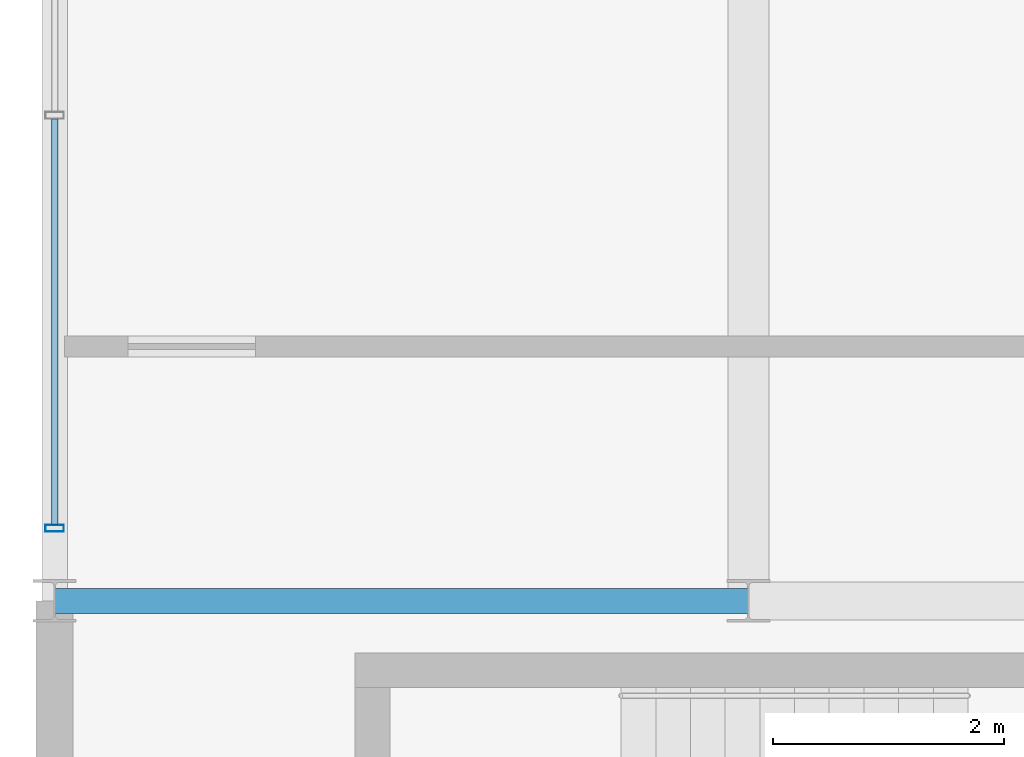
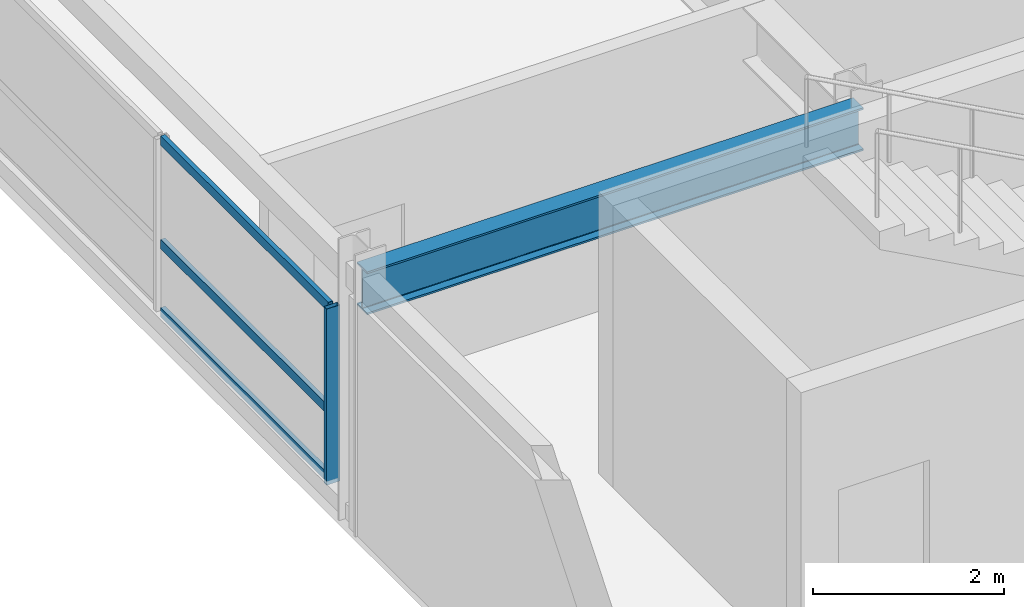
# One storey, part 6 of 22: 4 members, 1 beam, 1 element without a shape of its own.
"""IFC4 building model written with IfcOpenShell, lengths in metres."""

from ifc_helpers import new_model, si_unit, direction, frame, origin, origin_2d, place, context, subcontext, project, spatial, hollow_rectangle, i_section, extrude, material, material_profile, profile_set, type_object, element, aggregate, save


model = new_model("IFC4")

# Units and contexts
model_context = context("Model", 3, precision=1e-05, world=origin(), true_north=direction((0.0, 1.0)))
body_context = subcontext(model_context, "Body", "Model", "MODEL_VIEW")
ifc_project = project(units=[si_unit("LENGTHUNIT", "METRE"), si_unit("AREAUNIT", "SQUARE_METRE"), si_unit("VOLUMEUNIT", "CUBIC_METRE"), si_unit("PLANEANGLEUNIT", "RADIAN"), si_unit("MASSUNIT", "GRAM", prefix="KILO")], contexts=[model_context])

# Site, building, storey
site_placement = place(None, origin())
site = spatial("IfcSite", under=ifc_project, at=site_placement, CompositionType="ELEMENT")
building_placement = place(site_placement, origin())
building = spatial("IfcBuilding", under=site, at=building_placement, Name="Kaldorvane Square Convention Centre", CompositionType="ELEMENT")
storey_placement = place(building_placement, frame((0.0, 0.0, 67.19999694824219)))
storey = spatial("IfcBuildingStorey", under=building, at=storey_placement, Name="L16", CompositionType="ELEMENT", Elevation=67.19999694824219)

# Beam
ifc_material_1 = material(Name="Steel ASTM A992 Gr. 50", Category="steel")
ifc_material_profile_1 = material_profile(ifc_material_1, i_section(OverallWidth=0.213897705078125, OverallDepth=0.549102783203125, WebThickness=0.0146942138671875, FlangeThickness=0.0236053466796875, FilletRadius=0.0126953125, at=origin_2d()), Name="W21X93")
ifc_profile_set_1 = profile_set([ifc_material_profile_1], Name="Steel ASTM A992 Gr. 50")
beam_type = type_object("IfcBeamType", Name="BM-GR-W21X93", PredefinedType="BEAM", material=ifc_profile_set_1)
beam_placement = place(storey_placement, frame((36.0, 105.0, 3.00140380859375), z_axis=(1.0, 0.0, 0.0), x_axis=(0.0, 1.0, 0.0)))
element("IfcBeam", 1, at=beam_placement, inside=storey, type_object=beam_type, Name="Primary Girder (L16)", PredefinedType="BEAM", context=body_context, shape_type="SweptSolid", body=[
    extrude(i_section(OverallWidth=0.213897705078125, OverallDepth=0.549102783203125, WebThickness=0.0146942138671875, FlangeThickness=0.0236053466796875, FilletRadius=0.0126953125, at=origin_2d()), origin(), (0.0, 0.0, 1.0), 6.0),
])

# Curtain wall, members
ifc_material_2 = material(Name="Anodized Aluminum and Low-E Insulated Glazing", Category="aluminium")
curtain_wall_type = type_object("IfcCurtainWallType", Name="CW-UNI-HTL-B", PredefinedType="USERDEFINED", material=ifc_material_2)
curtain_wall_placement = place(storey_placement, origin())
curtain_wall = element("IfcCurtainWall", 2, at=curtain_wall_placement, inside=storey, type_object=curtain_wall_type, Name="Curtain Wall CW-11 (L16)", ObjectType="UNITISED GLAZING", PredefinedType="USERDEFINED")
ifc_material_profile_2 = material_profile(ifc_material_2, hollow_rectangle(XDim=0.05999755859375, YDim=0.160003662109375, WallThickness=0.003204345703125, at=origin_2d()), Name="CWM-160X60")
ifc_profile_set_2 = profile_set([ifc_material_profile_2], Name="Anodized Aluminum and Low-E Insulated Glazing")
member_type_1 = type_object("IfcMemberType", Name="CW-MUL-160", PredefinedType="MULLION", material=ifc_profile_set_2)
member_1_placement = place(storey_placement, frame((36.0, 105.6300048828125, 0.1500091552734375), z_axis=(0.0, 0.0, 1.0), x_axis=(0.0, -1.0, 0.0)))
member_1 = element("IfcMember", 3, at=member_1_placement, type_object=member_type_1, Name="CW-11 mullion 4", PredefinedType="MULLION", context=body_context, shape_type="SweptSolid", body=[
    extrude(hollow_rectangle(XDim=0.05999755859375, YDim=0.160003662109375, WallThickness=0.003204345703125, at=origin_2d()), origin(), (0.0, 0.0, 1.0), 2.25),
])
ifc_material_profile_3 = material_profile(ifc_material_2, hollow_rectangle(XDim=0.05499267578125, YDim=0.1199951171875, WallThickness=0.0030059814453125, at=origin_2d()), Name="CWT-120X55")
ifc_profile_set_3 = profile_set([ifc_material_profile_3], Name="Anodized Aluminum and Low-E Insulated Glazing")
member_type_2 = type_object("IfcMemberType", Name="CW-TRN-120", PredefinedType="USERDEFINED", material=ifc_profile_set_3)
member_2_placement = place(storey_placement, frame((36.0, 109.16999816894531, 0.1775054931640625), z_axis=(0.0, -1.0, 0.0), x_axis=(1.0, 0.0, 0.0)))
member_2 = element("IfcMember", 4, at=member_2_placement, type_object=member_type_2, Name="CW-11 transom 3.1", ObjectType="TRANSOM", PredefinedType="USERDEFINED", context=body_context, shape_type="SweptSolid", body=[
    extrude(hollow_rectangle(XDim=0.05499267578125, YDim=0.1199951171875, WallThickness=0.0030059814453125, at=origin_2d()), origin(), (0.0, 0.0, 1.0), 3.5099945068359375),
])
member_3_placement = place(storey_placement, frame((36.0, 109.16999816894531, 1.0500030517578125), z_axis=(0.0, -1.0, 0.0), x_axis=(1.0, 0.0, 0.0)))
member_3 = element("IfcMember", 5, at=member_3_placement, type_object=member_type_2, Name="CW-11 transom 3.2", ObjectType="TRANSOM", PredefinedType="USERDEFINED", context=body_context, shape_type="SweptSolid", body=[
    extrude(hollow_rectangle(XDim=0.05499267578125, YDim=0.1199951171875, WallThickness=0.0030059814453125, at=origin_2d()), origin(), (0.0, 0.0, 1.0), 3.5099945068359375),
])
member_4_placement = place(storey_placement, frame((36.0, 109.16999816894531, 2.37249755859375), z_axis=(0.0, -1.0, 0.0), x_axis=(1.0, 0.0, 0.0)))
member_4 = element("IfcMember", 6, at=member_4_placement, type_object=member_type_2, Name="CW-11 transom 3.3", ObjectType="TRANSOM", PredefinedType="USERDEFINED", context=body_context, shape_type="SweptSolid", body=[
    extrude(hollow_rectangle(XDim=0.05499267578125, YDim=0.1199951171875, WallThickness=0.0030059814453125, at=origin_2d()), origin(), (0.0, 0.0, 1.0), 3.5099945068359375),
])
aggregate(curtain_wall, [member_1, member_2, member_3, member_4])

save(model, "model.ifc")
